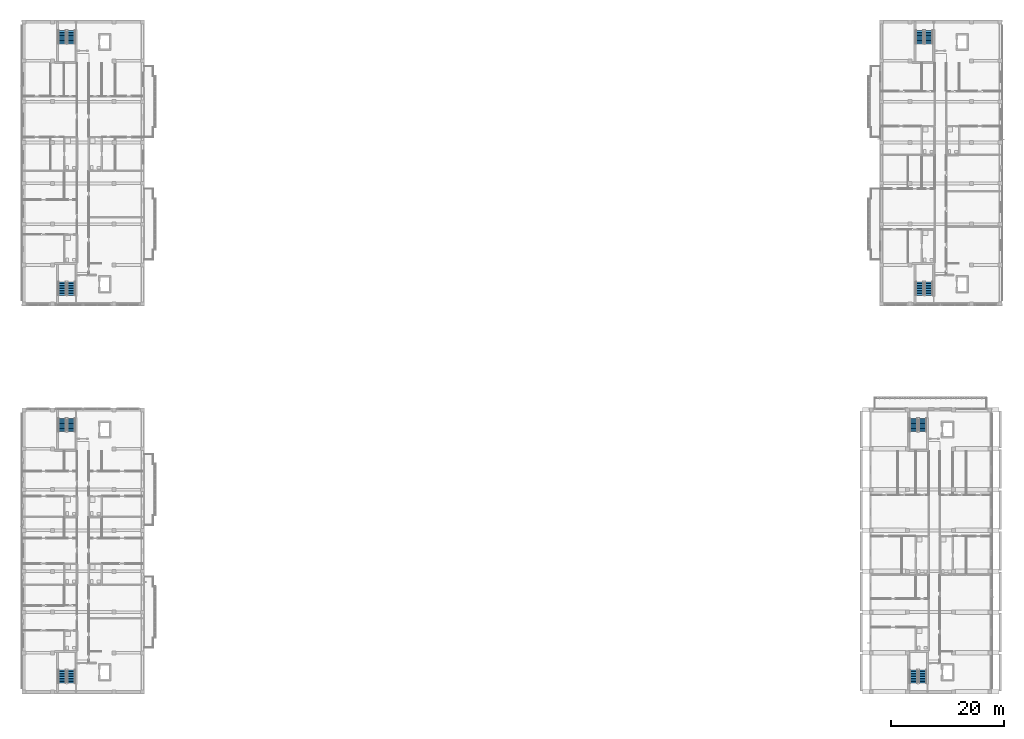
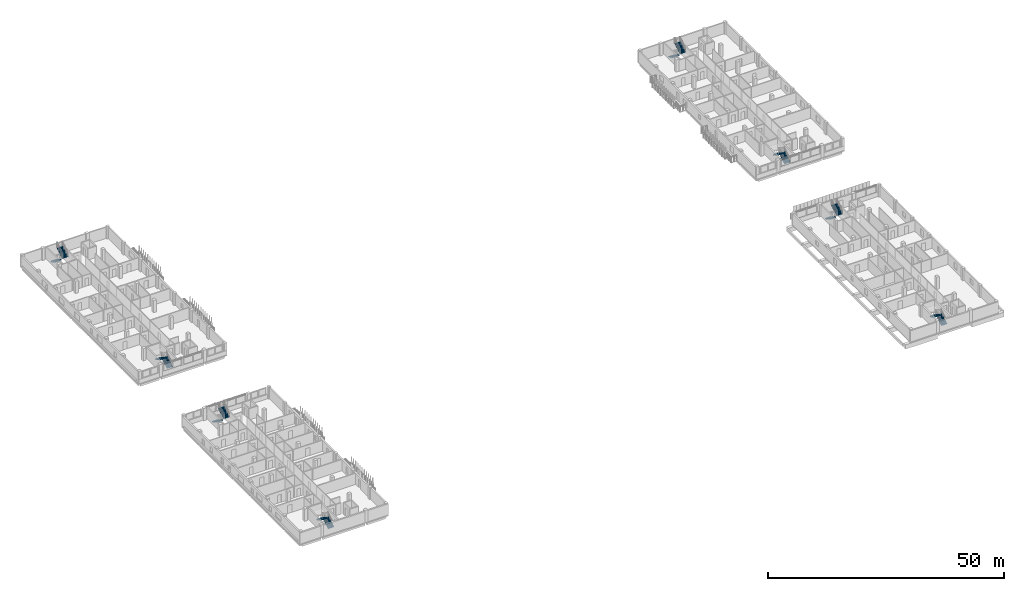
# One storey, part 37 of 51: 16 stair flights, 8 elements without a shape of their own.
"""IFC4 building model written with IfcOpenShell, lengths in metres."""

from ifc_helpers import new_model, si_unit, derived_unit, direction, frame, origin, place, context, subcontext, project, spatial, polyline, outline, extrude, material, type_object, element, aggregate, save


model = new_model("IFC4")

# Units and contexts
model_context = context("Model", 3, precision=1e-05, world=origin(), true_north=direction((0.0, 1.0)))
body_context = subcontext(model_context, "Body", "Model", "MODEL_VIEW")
ifc_project = project(units=[si_unit("LENGTHUNIT", "METRE"), si_unit("AREAUNIT", "SQUARE_METRE"), si_unit("VOLUMEUNIT", "CUBIC_METRE"), si_unit("PLANEANGLEUNIT", "RADIAN"), si_unit("MASSUNIT", "GRAM", prefix="KILO"), derived_unit("THERMALTRANSMITTANCEUNIT", [(si_unit("MASSUNIT", "GRAM", prefix="KILO"), 1), (si_unit("TIMEUNIT", "SECOND"), -3), (si_unit("THERMODYNAMICTEMPERATUREUNIT", "KELVIN"), -1)])], contexts=[model_context])

# Site, building, storey
site_placement = place(None, origin())
site = spatial("IfcSite", under=ifc_project, at=site_placement, CompositionType="ELEMENT")
building_placement = place(site_placement, origin())
building = spatial("IfcBuilding", under=site, at=building_placement, Name="Ochrekiln Boulevard Commons", CompositionType="ELEMENT")
storey_placement = place(building_placement, frame((0.0, 0.0, 18.375)))
storey = spatial("IfcBuildingStorey", under=building, at=storey_placement, Name="L05", CompositionType="ELEMENT", Elevation=18.375)

# Stair, stair flights
ifc_material = material(Name="Concrete C35/45", Category="concrete")
stair_type = type_object("IfcStairType", Name="STR-DL-315", PredefinedType="TWO_STRAIGHT_RUN_STAIR", material=ifc_material)
stair_1_placement = place(storey_placement, origin())
stair_1 = element("IfcStair", 1, at=stair_1_placement, inside=storey, type_object=stair_type, Name="L05 Enclosed Exit Stair ST-A1", PredefinedType="TWO_STRAIGHT_RUN_STAIR")
stair_flight_type = type_object("IfcStairFlightType", Name="SFL-ST-315", PredefinedType="STRAIGHT", material=ifc_material)
stair_flight_1_placement = place(storey_placement, frame((8.699951171875, 70.27001953125, 0.0), z_axis=(0.0, 0.0, 1.0), x_axis=(0.0, 1.0, 0.0)))
stair_flight_1 = element("IfcStairFlight", 2, at=stair_flight_1_placement, type_object=stair_flight_type, Name="ST-A1 flight 1", NumberOfRisers=9, NumberOfTreads=8, PredefinedType="STRAIGHT", RiserHeight=0.175, TreadLength=0.29, context=body_context, shape_type="SweptSolid", body=[
    extrude(outline(polyline([(0.0, 0.0), (0.0, 0.175048828125), (0.2900390625, 0.175048828125), (0.2900390625, 0.35009765625), (0.580078125, 0.35009765625), (0.580078125, 0.52490234375), (0.8701171875, 0.52490234375), (0.8701171875, 0.699951171875), (1.159912109375, 0.699951171875), (1.159912109375, 0.875), (1.449951171875, 0.875), (1.449951171875, 1.050048828125), (1.739990234375, 1.050048828125), (1.739990234375, 1.22509765625), (2.030029296875, 1.22509765625), (2.030029296875, 1.39990234375), (2.320068359375, 1.39990234375), (2.320068359375, 1.574951171875), (2.320068359375, 1.213134765625), (0.3095703125, 0.0), (0.0, 0.0)])), frame((0.0, 0.699951171875, 0.0), z_axis=(0.0, -1.0, 0.0), x_axis=(1.0, 0.0, 0.0)), (0.0, 0.0, 1.0), 1.39990234375),
])
stair_flight_2_placement = place(storey_placement, frame((7.10009765625, 72.590087890625, 1.574951171875), z_axis=(0.0, 0.0, 1.0), x_axis=(0.0, -1.0, 0.0)))
stair_flight_2 = element("IfcStairFlight", 3, at=stair_flight_2_placement, type_object=stair_flight_type, Name="ST-A1 flight 2", NumberOfRisers=9, NumberOfTreads=8, PredefinedType="STRAIGHT", RiserHeight=0.175, TreadLength=0.29, context=body_context, shape_type="SweptSolid", body=[
    extrude(outline(polyline([(0.0, 0.0), (0.0, 0.175048828125), (0.2900390625, 0.175048828125), (0.2900390625, 0.35009765625), (0.580078125, 0.35009765625), (0.580078125, 0.52490234375), (0.8701171875, 0.52490234375), (0.8701171875, 0.699951171875), (1.159912109375, 0.699951171875), (1.159912109375, 0.875), (1.449951171875, 0.875), (1.449951171875, 1.050048828125), (1.739990234375, 1.050048828125), (1.739990234375, 1.22509765625), (2.030029296875, 1.22509765625), (2.030029296875, 1.39990234375), (2.320068359375, 1.39990234375), (2.320068359375, 1.574951171875), (2.320068359375, 1.213134765625), (0.3095703125, 0.0), (0.0, 0.0)])), frame((0.0, 0.699951171875, 0.0), z_axis=(0.0, -1.0, 0.0), x_axis=(1.0, 0.0, 0.0)), (0.0, 0.0, 1.0), 1.39990234375),
])
aggregate(stair_1, [stair_flight_1, stair_flight_2])

stair_2_placement = place(storey_placement, origin())
stair_2 = element("IfcStair", 4, at=stair_2_placement, inside=storey, type_object=stair_type, Name="L05 Enclosed Exit Stair ST-A2", PredefinedType="TWO_STRAIGHT_RUN_STAIR")
stair_flight_3_placement = place(storey_placement, frame((7.10009765625, 116.929931640625, 0.0), z_axis=(0.0, 0.0, 1.0), x_axis=(0.0, -1.0, 0.0)))
stair_flight_3 = element("IfcStairFlight", 5, at=stair_flight_3_placement, type_object=stair_flight_type, Name="ST-A2 flight 1", NumberOfRisers=9, NumberOfTreads=8, PredefinedType="STRAIGHT", RiserHeight=0.175, TreadLength=0.29, context=body_context, shape_type="SweptSolid", body=[
    extrude(outline(polyline([(0.0, 0.0), (0.0, 0.175048828125), (0.2900390625, 0.175048828125), (0.2900390625, 0.35009765625), (0.580078125, 0.35009765625), (0.580078125, 0.52490234375), (0.8701171875, 0.52490234375), (0.8701171875, 0.699951171875), (1.159912109375, 0.699951171875), (1.159912109375, 0.875), (1.449951171875, 0.875), (1.449951171875, 1.050048828125), (1.739990234375, 1.050048828125), (1.739990234375, 1.22509765625), (2.030029296875, 1.22509765625), (2.030029296875, 1.39990234375), (2.320068359375, 1.39990234375), (2.320068359375, 1.574951171875), (2.320068359375, 1.213134765625), (0.3095703125, 0.0), (0.0, 0.0)])), frame((0.0, 0.699951171875, 0.0), z_axis=(0.0, -1.0, 0.0), x_axis=(1.0, 0.0, 0.0)), (0.0, 0.0, 1.0), 1.39990234375),
])
stair_flight_4_placement = place(storey_placement, frame((8.699951171875, 114.610107421875, 1.574951171875), z_axis=(0.0, 0.0, 1.0), x_axis=(0.0, 1.0, 0.0)))
stair_flight_4 = element("IfcStairFlight", 6, at=stair_flight_4_placement, type_object=stair_flight_type, Name="ST-A2 flight 2", NumberOfRisers=9, NumberOfTreads=8, PredefinedType="STRAIGHT", RiserHeight=0.175, TreadLength=0.29, context=body_context, shape_type="SweptSolid", body=[
    extrude(outline(polyline([(0.0, 0.0), (0.0, 0.175048828125), (0.2900390625, 0.175048828125), (0.2900390625, 0.35009765625), (0.580078125, 0.35009765625), (0.580078125, 0.52490234375), (0.8701171875, 0.52490234375), (0.8701171875, 0.699951171875), (1.159912109375, 0.699951171875), (1.159912109375, 0.875), (1.449951171875, 0.875), (1.449951171875, 1.050048828125), (1.739990234375, 1.050048828125), (1.739990234375, 1.22509765625), (2.030029296875, 1.22509765625), (2.030029296875, 1.39990234375), (2.320068359375, 1.39990234375), (2.320068359375, 1.574951171875), (2.320068359375, 1.213134765625), (0.3095703125, 0.0), (0.0, 0.0)])), frame((0.0, 0.699951171875, 0.0), z_axis=(0.0, -1.0, 0.0), x_axis=(1.0, 0.0, 0.0)), (0.0, 0.0, 1.0), 1.39990234375),
])
aggregate(stair_2, [stair_flight_3, stair_flight_4])

stair_3_placement = place(storey_placement, origin())
stair_3 = element("IfcStair", 7, at=stair_3_placement, inside=storey, type_object=stair_type, Name="L05 Enclosed Exit Stair ST-B1", PredefinedType="TWO_STRAIGHT_RUN_STAIR")
stair_flight_5_placement = place(storey_placement, frame((159.89990234375, 70.27001953125, 0.0), z_axis=(0.0, 0.0, 1.0), x_axis=(0.0, 1.0, 0.0)))
stair_flight_5 = element("IfcStairFlight", 8, at=stair_flight_5_placement, type_object=stair_flight_type, Name="ST-B1 flight 1", NumberOfRisers=9, NumberOfTreads=8, PredefinedType="STRAIGHT", RiserHeight=0.175, TreadLength=0.29, context=body_context, shape_type="SweptSolid", body=[
    extrude(outline(polyline([(0.0, 0.0), (0.0, 0.175048828125), (0.2900390625, 0.175048828125), (0.2900390625, 0.35009765625), (0.580078125, 0.35009765625), (0.580078125, 0.52490234375), (0.8701171875, 0.52490234375), (0.8701171875, 0.699951171875), (1.159912109375, 0.699951171875), (1.159912109375, 0.875), (1.449951171875, 0.875), (1.449951171875, 1.050048828125), (1.739990234375, 1.050048828125), (1.739990234375, 1.22509765625), (2.030029296875, 1.22509765625), (2.030029296875, 1.39990234375), (2.320068359375, 1.39990234375), (2.320068359375, 1.574951171875), (2.320068359375, 1.213134765625), (0.3095703125, 0.0), (0.0, 0.0)])), frame((0.0, 0.699951171875, 0.0), z_axis=(0.0, -1.0, 0.0), x_axis=(1.0, 0.0, 0.0)), (0.0, 0.0, 1.0), 1.39990234375),
])
stair_flight_6_placement = place(storey_placement, frame((158.300048828125, 72.590087890625, 1.574951171875), z_axis=(0.0, 0.0, 1.0), x_axis=(0.0, -1.0, 0.0)))
stair_flight_6 = element("IfcStairFlight", 9, at=stair_flight_6_placement, type_object=stair_flight_type, Name="ST-B1 flight 2", NumberOfRisers=9, NumberOfTreads=8, PredefinedType="STRAIGHT", RiserHeight=0.175, TreadLength=0.29, context=body_context, shape_type="SweptSolid", body=[
    extrude(outline(polyline([(0.0, 0.0), (0.0, 0.175048828125), (0.2900390625, 0.175048828125), (0.2900390625, 0.35009765625), (0.580078125, 0.35009765625), (0.580078125, 0.52490234375), (0.8701171875, 0.52490234375), (0.8701171875, 0.699951171875), (1.159912109375, 0.699951171875), (1.159912109375, 0.875), (1.449951171875, 0.875), (1.449951171875, 1.050048828125), (1.739990234375, 1.050048828125), (1.739990234375, 1.22509765625), (2.030029296875, 1.22509765625), (2.030029296875, 1.39990234375), (2.320068359375, 1.39990234375), (2.320068359375, 1.574951171875), (2.320068359375, 1.213134765625), (0.3095703125, 0.0), (0.0, 0.0)])), frame((0.0, 0.699951171875, 0.0), z_axis=(0.0, -1.0, 0.0), x_axis=(1.0, 0.0, 0.0)), (0.0, 0.0, 1.0), 1.39990234375),
])
aggregate(stair_3, [stair_flight_5, stair_flight_6])

stair_4_placement = place(storey_placement, origin())
stair_4 = element("IfcStair", 10, at=stair_4_placement, inside=storey, type_object=stair_type, Name="L05 Enclosed Exit Stair ST-B2", PredefinedType="TWO_STRAIGHT_RUN_STAIR")
stair_flight_7_placement = place(storey_placement, frame((158.300048828125, 116.929931640625, 0.0), z_axis=(0.0, 0.0, 1.0), x_axis=(0.0, -1.0, 0.0)))
stair_flight_7 = element("IfcStairFlight", 11, at=stair_flight_7_placement, type_object=stair_flight_type, Name="ST-B2 flight 1", NumberOfRisers=9, NumberOfTreads=8, PredefinedType="STRAIGHT", RiserHeight=0.175, TreadLength=0.29, context=body_context, shape_type="SweptSolid", body=[
    extrude(outline(polyline([(0.0, 0.0), (0.0, 0.175048828125), (0.2900390625, 0.175048828125), (0.2900390625, 0.35009765625), (0.580078125, 0.35009765625), (0.580078125, 0.52490234375), (0.8701171875, 0.52490234375), (0.8701171875, 0.699951171875), (1.159912109375, 0.699951171875), (1.159912109375, 0.875), (1.449951171875, 0.875), (1.449951171875, 1.050048828125), (1.739990234375, 1.050048828125), (1.739990234375, 1.22509765625), (2.030029296875, 1.22509765625), (2.030029296875, 1.39990234375), (2.320068359375, 1.39990234375), (2.320068359375, 1.574951171875), (2.320068359375, 1.213134765625), (0.3095703125, 0.0), (0.0, 0.0)])), frame((0.0, 0.699951171875, 0.0), z_axis=(0.0, -1.0, 0.0), x_axis=(1.0, 0.0, 0.0)), (0.0, 0.0, 1.0), 1.39990234375),
])
stair_flight_8_placement = place(storey_placement, frame((159.89990234375, 114.610107421875, 1.574951171875), z_axis=(0.0, 0.0, 1.0), x_axis=(0.0, 1.0, 0.0)))
stair_flight_8 = element("IfcStairFlight", 12, at=stair_flight_8_placement, type_object=stair_flight_type, Name="ST-B2 flight 2", NumberOfRisers=9, NumberOfTreads=8, PredefinedType="STRAIGHT", RiserHeight=0.175, TreadLength=0.29, context=body_context, shape_type="SweptSolid", body=[
    extrude(outline(polyline([(0.0, 0.0), (0.0, 0.175048828125), (0.2900390625, 0.175048828125), (0.2900390625, 0.35009765625), (0.580078125, 0.35009765625), (0.580078125, 0.52490234375), (0.8701171875, 0.52490234375), (0.8701171875, 0.699951171875), (1.159912109375, 0.699951171875), (1.159912109375, 0.875), (1.449951171875, 0.875), (1.449951171875, 1.050048828125), (1.739990234375, 1.050048828125), (1.739990234375, 1.22509765625), (2.030029296875, 1.22509765625), (2.030029296875, 1.39990234375), (2.320068359375, 1.39990234375), (2.320068359375, 1.574951171875), (2.320068359375, 1.213134765625), (0.3095703125, 0.0), (0.0, 0.0)])), frame((0.0, 0.699951171875, 0.0), z_axis=(0.0, -1.0, 0.0), x_axis=(1.0, 0.0, 0.0)), (0.0, 0.0, 1.0), 1.39990234375),
])
aggregate(stair_4, [stair_flight_7, stair_flight_8])

stair_5_placement = place(storey_placement, origin())
stair_5 = element("IfcStair", 13, at=stair_5_placement, inside=storey, type_object=stair_type, Name="L05 Enclosed Exit Stair ST-C1", PredefinedType="TWO_STRAIGHT_RUN_STAIR")
stair_flight_9_placement = place(storey_placement, frame((158.800048828125, 1.8701171875, 0.0), z_axis=(0.0, 0.0, 1.0), x_axis=(0.0, 1.0, 0.0)))
stair_flight_9 = element("IfcStairFlight", 14, at=stair_flight_9_placement, type_object=stair_flight_type, Name="ST-C1 flight 1", NumberOfRisers=9, NumberOfTreads=8, PredefinedType="STRAIGHT", RiserHeight=0.175, TreadLength=0.29, context=body_context, shape_type="SweptSolid", body=[
    extrude(outline(polyline([(0.0, 0.0), (0.0, 0.175048828125), (0.2900390625, 0.175048828125), (0.2900390625, 0.35009765625), (0.580078125, 0.35009765625), (0.580078125, 0.52490234375), (0.8701171875, 0.52490234375), (0.8701171875, 0.699951171875), (1.159912109375, 0.699951171875), (1.159912109375, 0.875), (1.449951171875, 0.875), (1.449951171875, 1.050048828125), (1.739990234375, 1.050048828125), (1.739990234375, 1.22509765625), (2.030029296875, 1.22509765625), (2.030029296875, 1.39990234375), (2.320068359375, 1.39990234375), (2.320068359375, 1.574951171875), (2.320068359375, 1.213134765625), (0.3095703125, 0.0), (0.0, 0.0)])), frame((0.0, 0.699951171875, 0.0), z_axis=(0.0, -1.0, 0.0), x_axis=(1.0, 0.0, 0.0)), (0.0, 0.0, 1.0), 1.39990234375),
])
stair_flight_10_placement = place(storey_placement, frame((157.199951171875, 4.18994140625, 1.574951171875), z_axis=(0.0, 0.0, 1.0), x_axis=(0.0, -1.0, 0.0)))
stair_flight_10 = element("IfcStairFlight", 15, at=stair_flight_10_placement, type_object=stair_flight_type, Name="ST-C1 flight 2", NumberOfRisers=9, NumberOfTreads=8, PredefinedType="STRAIGHT", RiserHeight=0.175, TreadLength=0.29, context=body_context, shape_type="SweptSolid", body=[
    extrude(outline(polyline([(0.0, 0.0), (0.0, 0.175048828125), (0.2900390625, 0.175048828125), (0.2900390625, 0.35009765625), (0.580078125, 0.35009765625), (0.580078125, 0.52490234375), (0.8701171875, 0.52490234375), (0.8701171875, 0.699951171875), (1.159912109375, 0.699951171875), (1.159912109375, 0.875), (1.449951171875, 0.875), (1.449951171875, 1.050048828125), (1.739990234375, 1.050048828125), (1.739990234375, 1.22509765625), (2.030029296875, 1.22509765625), (2.030029296875, 1.39990234375), (2.320068359375, 1.39990234375), (2.320068359375, 1.574951171875), (2.320068359375, 1.213134765625), (0.3095703125, 0.0), (0.0, 0.0)])), frame((0.0, 0.699951171875, 0.0), z_axis=(0.0, -1.0, 0.0), x_axis=(1.0, 0.0, 0.0)), (0.0, 0.0, 1.0), 1.39990234375),
])
aggregate(stair_5, [stair_flight_9, stair_flight_10])

stair_6_placement = place(storey_placement, origin())
stair_6 = element("IfcStair", 16, at=stair_6_placement, inside=storey, type_object=stair_type, Name="L05 Enclosed Exit Stair ST-C2", PredefinedType="TWO_STRAIGHT_RUN_STAIR")
stair_flight_11_placement = place(storey_placement, frame((157.199951171875, 48.530029296875, 0.0), z_axis=(0.0, 0.0, 1.0), x_axis=(0.0, -1.0, 0.0)))
stair_flight_11 = element("IfcStairFlight", 17, at=stair_flight_11_placement, type_object=stair_flight_type, Name="ST-C2 flight 1", NumberOfRisers=9, NumberOfTreads=8, PredefinedType="STRAIGHT", RiserHeight=0.175, TreadLength=0.29, context=body_context, shape_type="SweptSolid", body=[
    extrude(outline(polyline([(0.0, 0.0), (0.0, 0.175048828125), (0.2900390625, 0.175048828125), (0.2900390625, 0.35009765625), (0.580078125, 0.35009765625), (0.580078125, 0.52490234375), (0.8701171875, 0.52490234375), (0.8701171875, 0.699951171875), (1.159912109375, 0.699951171875), (1.159912109375, 0.875), (1.449951171875, 0.875), (1.449951171875, 1.050048828125), (1.739990234375, 1.050048828125), (1.739990234375, 1.22509765625), (2.030029296875, 1.22509765625), (2.030029296875, 1.39990234375), (2.320068359375, 1.39990234375), (2.320068359375, 1.574951171875), (2.320068359375, 1.213134765625), (0.3095703125, 0.0), (0.0, 0.0)])), frame((0.0, 0.699951171875, 0.0), z_axis=(0.0, -1.0, 0.0), x_axis=(1.0, 0.0, 0.0)), (0.0, 0.0, 1.0), 1.39990234375),
])
stair_flight_12_placement = place(storey_placement, frame((158.800048828125, 46.2099609375, 1.574951171875), z_axis=(0.0, 0.0, 1.0), x_axis=(0.0, 1.0, 0.0)))
stair_flight_12 = element("IfcStairFlight", 18, at=stair_flight_12_placement, type_object=stair_flight_type, Name="ST-C2 flight 2", NumberOfRisers=9, NumberOfTreads=8, PredefinedType="STRAIGHT", RiserHeight=0.175, TreadLength=0.29, context=body_context, shape_type="SweptSolid", body=[
    extrude(outline(polyline([(0.0, 0.0), (0.0, 0.175048828125), (0.2900390625, 0.175048828125), (0.2900390625, 0.35009765625), (0.580078125, 0.35009765625), (0.580078125, 0.52490234375), (0.8701171875, 0.52490234375), (0.8701171875, 0.699951171875), (1.159912109375, 0.699951171875), (1.159912109375, 0.875), (1.449951171875, 0.875), (1.449951171875, 1.050048828125), (1.739990234375, 1.050048828125), (1.739990234375, 1.22509765625), (2.030029296875, 1.22509765625), (2.030029296875, 1.39990234375), (2.320068359375, 1.39990234375), (2.320068359375, 1.574951171875), (2.320068359375, 1.213134765625), (0.3095703125, 0.0), (0.0, 0.0)])), frame((0.0, 0.699951171875, 0.0), z_axis=(0.0, -1.0, 0.0), x_axis=(1.0, 0.0, 0.0)), (0.0, 0.0, 1.0), 1.39990234375),
])
aggregate(stair_6, [stair_flight_11, stair_flight_12])

stair_7_placement = place(storey_placement, origin())
stair_7 = element("IfcStair", 19, at=stair_7_placement, inside=storey, type_object=stair_type, Name="L05 Enclosed Exit Stair ST-D1", PredefinedType="TWO_STRAIGHT_RUN_STAIR")
stair_flight_13_placement = place(storey_placement, frame((8.699951171875, 1.8701171875, 0.0), z_axis=(0.0, 0.0, 1.0), x_axis=(0.0, 1.0, 0.0)))
stair_flight_13 = element("IfcStairFlight", 20, at=stair_flight_13_placement, type_object=stair_flight_type, Name="ST-D1 flight 1", NumberOfRisers=9, NumberOfTreads=8, PredefinedType="STRAIGHT", RiserHeight=0.175, TreadLength=0.29, context=body_context, shape_type="SweptSolid", body=[
    extrude(outline(polyline([(0.0, 0.0), (0.0, 0.175048828125), (0.2900390625, 0.175048828125), (0.2900390625, 0.35009765625), (0.580078125, 0.35009765625), (0.580078125, 0.52490234375), (0.8701171875, 0.52490234375), (0.8701171875, 0.699951171875), (1.159912109375, 0.699951171875), (1.159912109375, 0.875), (1.449951171875, 0.875), (1.449951171875, 1.050048828125), (1.739990234375, 1.050048828125), (1.739990234375, 1.22509765625), (2.030029296875, 1.22509765625), (2.030029296875, 1.39990234375), (2.320068359375, 1.39990234375), (2.320068359375, 1.574951171875), (2.320068359375, 1.213134765625), (0.3095703125, 0.0), (0.0, 0.0)])), frame((0.0, 0.699951171875, 0.0), z_axis=(0.0, -1.0, 0.0), x_axis=(1.0, 0.0, 0.0)), (0.0, 0.0, 1.0), 1.39990234375),
])
stair_flight_14_placement = place(storey_placement, frame((7.10009765625, 4.18994140625, 1.574951171875), z_axis=(0.0, 0.0, 1.0), x_axis=(0.0, -1.0, 0.0)))
stair_flight_14 = element("IfcStairFlight", 21, at=stair_flight_14_placement, type_object=stair_flight_type, Name="ST-D1 flight 2", NumberOfRisers=9, NumberOfTreads=8, PredefinedType="STRAIGHT", RiserHeight=0.175, TreadLength=0.29, context=body_context, shape_type="SweptSolid", body=[
    extrude(outline(polyline([(0.0, 0.0), (0.0, 0.175048828125), (0.2900390625, 0.175048828125), (0.2900390625, 0.35009765625), (0.580078125, 0.35009765625), (0.580078125, 0.52490234375), (0.8701171875, 0.52490234375), (0.8701171875, 0.699951171875), (1.159912109375, 0.699951171875), (1.159912109375, 0.875), (1.449951171875, 0.875), (1.449951171875, 1.050048828125), (1.739990234375, 1.050048828125), (1.739990234375, 1.22509765625), (2.030029296875, 1.22509765625), (2.030029296875, 1.39990234375), (2.320068359375, 1.39990234375), (2.320068359375, 1.574951171875), (2.320068359375, 1.213134765625), (0.3095703125, 0.0), (0.0, 0.0)])), frame((0.0, 0.699951171875, 0.0), z_axis=(0.0, -1.0, 0.0), x_axis=(1.0, 0.0, 0.0)), (0.0, 0.0, 1.0), 1.39990234375),
])
aggregate(stair_7, [stair_flight_13, stair_flight_14])

stair_8_placement = place(storey_placement, origin())
stair_8 = element("IfcStair", 22, at=stair_8_placement, inside=storey, type_object=stair_type, Name="L05 Enclosed Exit Stair ST-D2", PredefinedType="TWO_STRAIGHT_RUN_STAIR")
stair_flight_15_placement = place(storey_placement, frame((7.10009765625, 48.530029296875, 0.0), z_axis=(0.0, 0.0, 1.0), x_axis=(0.0, -1.0, 0.0)))
stair_flight_15 = element("IfcStairFlight", 23, at=stair_flight_15_placement, type_object=stair_flight_type, Name="ST-D2 flight 1", NumberOfRisers=9, NumberOfTreads=8, PredefinedType="STRAIGHT", RiserHeight=0.175, TreadLength=0.29, context=body_context, shape_type="SweptSolid", body=[
    extrude(outline(polyline([(0.0, 0.0), (0.0, 0.175048828125), (0.2900390625, 0.175048828125), (0.2900390625, 0.35009765625), (0.580078125, 0.35009765625), (0.580078125, 0.52490234375), (0.8701171875, 0.52490234375), (0.8701171875, 0.699951171875), (1.159912109375, 0.699951171875), (1.159912109375, 0.875), (1.449951171875, 0.875), (1.449951171875, 1.050048828125), (1.739990234375, 1.050048828125), (1.739990234375, 1.22509765625), (2.030029296875, 1.22509765625), (2.030029296875, 1.39990234375), (2.320068359375, 1.39990234375), (2.320068359375, 1.574951171875), (2.320068359375, 1.213134765625), (0.3095703125, 0.0), (0.0, 0.0)])), frame((0.0, 0.699951171875, 0.0), z_axis=(0.0, -1.0, 0.0), x_axis=(1.0, 0.0, 0.0)), (0.0, 0.0, 1.0), 1.39990234375),
])
stair_flight_16_placement = place(storey_placement, frame((8.699951171875, 46.2099609375, 1.574951171875), z_axis=(0.0, 0.0, 1.0), x_axis=(0.0, 1.0, 0.0)))
stair_flight_16 = element("IfcStairFlight", 24, at=stair_flight_16_placement, type_object=stair_flight_type, Name="ST-D2 flight 2", NumberOfRisers=9, NumberOfTreads=8, PredefinedType="STRAIGHT", RiserHeight=0.175, TreadLength=0.29, context=body_context, shape_type="SweptSolid", body=[
    extrude(outline(polyline([(0.0, 0.0), (0.0, 0.175048828125), (0.2900390625, 0.175048828125), (0.2900390625, 0.35009765625), (0.580078125, 0.35009765625), (0.580078125, 0.52490234375), (0.8701171875, 0.52490234375), (0.8701171875, 0.699951171875), (1.159912109375, 0.699951171875), (1.159912109375, 0.875), (1.449951171875, 0.875), (1.449951171875, 1.050048828125), (1.739990234375, 1.050048828125), (1.739990234375, 1.22509765625), (2.030029296875, 1.22509765625), (2.030029296875, 1.39990234375), (2.320068359375, 1.39990234375), (2.320068359375, 1.574951171875), (2.320068359375, 1.213134765625), (0.3095703125, 0.0), (0.0, 0.0)])), frame((0.0, 0.699951171875, 0.0), z_axis=(0.0, -1.0, 0.0), x_axis=(1.0, 0.0, 0.0)), (0.0, 0.0, 1.0), 1.39990234375),
])
aggregate(stair_8, [stair_flight_15, stair_flight_16])

save(model, "model.ifc")
